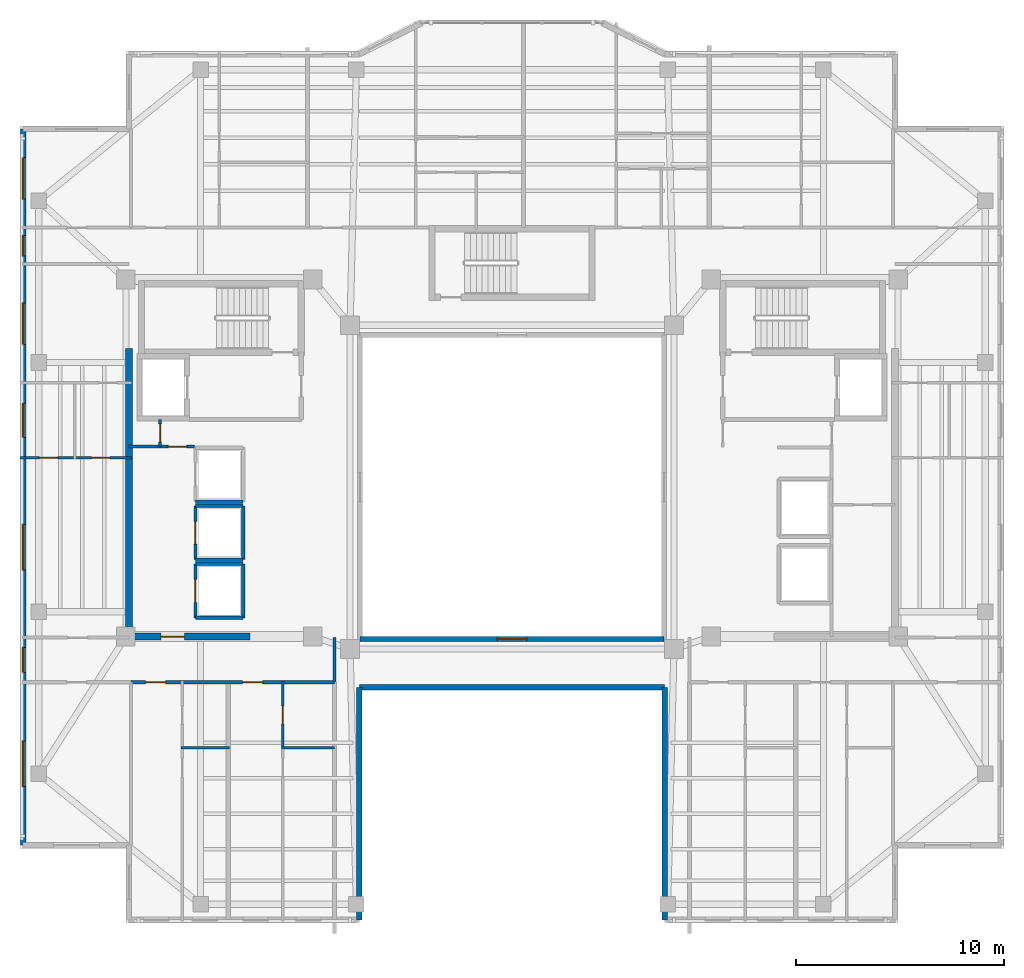
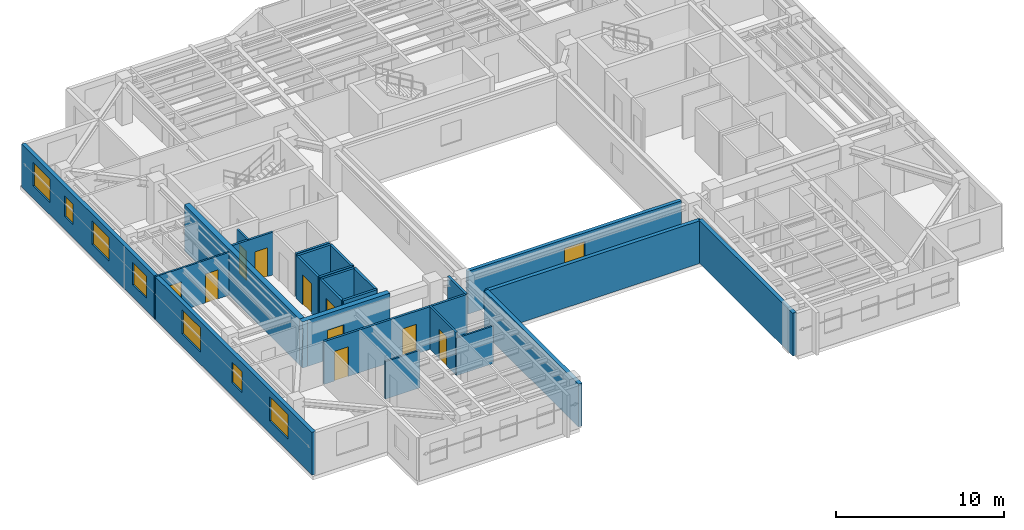
# One storey, part 4 of 12: 24 walls, 10 doors, 8 windows, 18 openings.
"""IFC4 building model written with IfcOpenShell, lengths in metres."""

import ifcopenshell
import ifcopenshell.guid

model = None  # the IFC model being written
_history = None  # IfcOwnerHistory: only IFC2X3 demands one
_inside = {}  # id of a spatial element -> (the spatial element, [elements in it])
_under = {}  # id of a project, library or spatial element -> (it, [spatial elements below it])
_declared = {}  # id of a project -> (the project, [libraries it declares])
_typed = {}  # id of a type object -> (the type object, [elements of that type])
_made_of = {}  # id of a material, layer set ... -> (it, [elements and type objects made of it])


def new_model(schema):
    """Start an empty IFC model of exactly this schema.

    Asked for "IFC4X3", IfcOpenShell would pick the latest addendum, in which some entities
    have other attributes; the version numbers below select the first issue.
    IFC2X3 requires an IfcOwnerHistory on every rooted entity: one is made here for all.
    """
    global model, _history
    if schema == "IFC4X3":
        model = ifcopenshell.file(schema_version=(4, 3, 0, 0))
    else:
        model = ifcopenshell.file(schema=schema)
    _inside.clear()
    _under.clear()
    _declared.clear()
    _typed.clear()
    _made_of.clear()
    _history = None
    if model.schema == "IFC2X3":
        org = make("IfcOrganization", Name="unknown")
        user = make(
            "IfcPersonAndOrganization",
            ThePerson=make("IfcPerson", FamilyName="unknown"),
            TheOrganization=org,
        )
        app = make(
            "IfcApplication",
            ApplicationDeveloper=org,
            Version="unknown",
            ApplicationFullName="unknown",
            ApplicationIdentifier="unknown",
        )
        _history = make(
            "IfcOwnerHistory",
            OwningUser=user,
            OwningApplication=app,
            ChangeAction="ADDED",
            CreationDate=0,
        )
    return model


def make(cls, **values):
    """One entity of the class cls with the attributes given. An attribute that is None is left unset."""
    return model.create_entity(
        cls, **{name: value for name, value in values.items() if value is not None}
    )


def rooted(cls, **values):
    """An entity with a GlobalId (a new one), such as an element, a storey or a relation."""
    return make(cls, GlobalId=ifcopenshell.guid.new(), OwnerHistory=_history, **values)


def si_unit(unit_type, name, prefix=None):
    """IfcSIUnit, for example si_unit("LENGTHUNIT", "METRE", prefix="MILLI")."""
    return make("IfcSIUnit", UnitType=unit_type, Prefix=prefix, Name=name)


def assignment(units):
    """IfcUnitAssignment: the units of a project."""
    return None if units is None else make("IfcUnitAssignment", Units=units)


def point(xyz):
    """IfcCartesianPoint."""
    return None if xyz is None else make("IfcCartesianPoint", Coordinates=xyz)


def direction(xyz):
    """IfcDirection."""
    return None if xyz is None else make("IfcDirection", DirectionRatios=xyz)


def frame(location, z_axis=None, x_axis=None):
    """IfcAxis2Placement3D, a coordinate frame: its origin and axes. An axis left out is left unset."""
    return make(
        "IfcAxis2Placement3D",
        Location=point(location),
        Axis=direction(z_axis),
        RefDirection=direction(x_axis),
    )


def frame_2d(location, x_axis=None):
    """IfcAxis2Placement2D, a coordinate frame in the plane: its origin and x axis."""
    return make(
        "IfcAxis2Placement2D", Location=point(location), RefDirection=direction(x_axis)
    )


def origin():
    """The frame at (0, 0, 0) with its axes left unset."""
    return frame((0.0, 0.0, 0.0))


def place(relative_to, where):
    """IfcLocalPlacement: puts the frame where relative to a parent placement (None: the world)."""
    return make(
        "IfcLocalPlacement", PlacementRelTo=relative_to, RelativePlacement=where
    )


def context(
    kind, dimensions, precision=None, world=None, true_north=None, identifier=None
):
    """IfcGeometricRepresentationContext, for example the 3D "Model" context."""
    return make(
        "IfcGeometricRepresentationContext",
        ContextIdentifier=identifier,
        ContextType=kind,
        CoordinateSpaceDimension=dimensions,
        Precision=precision,
        WorldCoordinateSystem=world,
        TrueNorth=true_north,
    )


def subcontext(parent, identifier, kind, view, scale=None):
    """IfcGeometricRepresentationSubContext, for example "Body" below "Model"."""
    return make(
        "IfcGeometricRepresentationSubContext",
        ContextIdentifier=identifier,
        ContextType=kind,
        ParentContext=parent,
        TargetScale=scale,
        TargetView=view,
    )


def project(units=None, contexts=None):
    """IfcProject with its units and contexts."""
    return rooted(
        "IfcProject",
        Name="project",
        RepresentationContexts=contexts,
        UnitsInContext=assignment(units),
    )


def spatial(cls, under=None, at=None, **own):
    """A site, building, storey or space (cls), placed at a placement, below another one or the project."""
    s = rooted(cls, ObjectPlacement=at, **own)
    if under is not None:
        _under.setdefault(under.id(), (under, []))[1].append(s)
    return s


def profile(cls, at=None, kind="AREA", **sizes):
    """A parametric profile (cls). Its sizes go by their IFC names, for example OverallWidth=200.0."""
    return make(cls, ProfileType=kind, Position=at, **sizes)


def rectangle(**sizes):
    """IfcRectangleProfileDef."""
    return profile("IfcRectangleProfileDef", **sizes)


def extrude(swept, where, along, depth):
    """IfcExtrudedAreaSolid: the profile swept, set in the frame where, extruded along a direction by depth."""
    return make(
        "IfcExtrudedAreaSolid",
        SweptArea=swept,
        Position=where,
        ExtrudedDirection=direction(along),
        Depth=depth,
    )


def shape(context_of_items, identifier, shape_type, items):
    """IfcShapeRepresentation: the items that make up one representation, for example the "Body"."""
    return make(
        "IfcShapeRepresentation",
        ContextOfItems=context_of_items,
        RepresentationIdentifier=identifier,
        RepresentationType=shape_type,
        Items=items,
    )


def material(Name=None, Category=None):
    """IfcMaterial."""
    return make("IfcMaterial", Name=Name, Category=Category)


def layer(
    of_material, thickness, ventilated=None, Name=None, Category=None, Priority=None
):
    """IfcMaterialLayer: one layer of a wall or slab, of a material (None: an air gap)."""
    return make(
        "IfcMaterialLayer",
        Material=of_material,
        LayerThickness=thickness,
        IsVentilated=ventilated,
        Name=Name,
        Category=Category,
        Priority=Priority,
    )


def layer_set(layers, Name=None):
    """IfcMaterialLayerSet."""
    return make("IfcMaterialLayerSet", MaterialLayers=layers, LayerSetName=Name)


def made_of(thing, what):
    """Note that an element or type object is made of a material, layer set ...; save() writes the relation."""
    if what is not None:
        _made_of.setdefault(what.id(), (what, []))[1].append(thing)
    return thing


def type_object(cls, material=None, **own):
    """A type object (cls), such as IfcWallType, which elements share."""
    return made_of(rooted(cls, **own), material)


def element(
    cls,
    number,
    at=None,
    inside=None,
    cuts=None,
    type_object=None,
    material=None,
    context=None,
    identifier="Body",
    shape_type=None,
    held_by="IfcProductDefinitionShape",
    body=None,
    shapes=None,
    **own,
):
    """One element of the class cls, such as IfcWall. Its Tag is "e" and its number.

    at: its placement. inside: the storey or other place that contains it. cuts: it is an
    opening in that element (IfcRelVoidsElement). A single representation is given by context,
    identifier, shape_type and body (its items); several are given by shapes. held_by: the class
    of the entity that holds the representations. save() writes the other relations.
    """
    e = rooted(cls, Tag="e%d" % number, ObjectPlacement=at, **own)
    if body is not None:
        shapes = [shape(context, identifier, shape_type, body)]
    if shapes is not None:
        e.Representation = make(held_by, Representations=shapes)
    if inside is not None:
        _inside.setdefault(inside.id(), (inside, []))[1].append(e)
    if cuts is not None:
        rooted(
            "IfcRelVoidsElement", RelatingBuildingElement=cuts, RelatedOpeningElement=e
        )
    if type_object is not None:
        _typed.setdefault(type_object.id(), (type_object, []))[1].append(e)
    return made_of(e, material)


def fill(opening, filler):
    """IfcRelFillsElement: the door or window that sits in an opening."""
    return rooted(
        "IfcRelFillsElement",
        RelatingOpeningElement=opening,
        RelatedBuildingElement=filler,
    )


def aggregate(whole, parts):
    """IfcRelAggregates: a whole, such as a stair, and the parts it consists of."""
    return rooted("IfcRelAggregates", RelatingObject=whole, RelatedObjects=parts)


def save(model, path):
    """Write the relations noted so far, then the file.

    IfcRelAggregates (storeys below a building ...), IfcRelContainedInSpatialStructure (elements
    in a storey), IfcRelDefinesByType, IfcRelAssociatesMaterial and IfcRelDeclares: one each for
    every whole, place, type object, material and project.
    """
    for whole, parts in _under.values():
        aggregate(whole, parts)
    for where, things in _inside.values():
        rooted(
            "IfcRelContainedInSpatialStructure",
            RelatedElements=things,
            RelatingStructure=where,
        )
    for kind, things in _typed.values():
        rooted("IfcRelDefinesByType", RelatedObjects=things, RelatingType=kind)
    for what, things in _made_of.values():
        rooted("IfcRelAssociatesMaterial", RelatedObjects=things, RelatingMaterial=what)
    for by, libraries in _declared.values():
        rooted("IfcRelDeclares", RelatingContext=by, RelatedDefinitions=libraries)
    model.write(path)


model = new_model("IFC4")

# Units and contexts
model_context = context("Model", 3, precision=1e-05, world=origin(), true_north=direction((0.0, 1.0)))
body_context = subcontext(model_context, "Body", "Model", "MODEL_VIEW")
ifc_project = project(units=[si_unit("LENGTHUNIT", "METRE"), si_unit("AREAUNIT", "SQUARE_METRE"), si_unit("VOLUMEUNIT", "CUBIC_METRE"), si_unit("PLANEANGLEUNIT", "RADIAN"), si_unit("MASSUNIT", "GRAM", prefix="KILO")], contexts=[model_context])

# Site, building, storey
site_placement = place(None, origin())
site = spatial("IfcSite", under=ifc_project, at=site_placement, CompositionType="ELEMENT")
building_placement = place(site_placement, origin())
building = spatial("IfcBuilding", under=site, at=building_placement, Name="Tarnavaz Court Tower", CompositionType="ELEMENT")
storey_placement = place(building_placement, frame((0.0, 0.0, 207.0)))
storey = spatial("IfcBuildingStorey", under=building, at=storey_placement, Name="L56", CompositionType="ELEMENT", Elevation=207.0)

# Wall
ifc_material_1 = material(Name="Concrete C50/60", Category="concrete")
ifc_layer_1 = layer(ifc_material_1, 0.35009765625)
ifc_layer_set_1 = layer_set([ifc_layer_1], Name="Concrete C50/60")
wall_type_1 = type_object("IfcWallType", Name="WL-CORE-350-C50", PredefinedType="SHEAR", material=ifc_layer_set_1)
wall_1_placement = place(storey_placement, frame((-18.449951171875, -7.375, 0.0), z_axis=(0.0, 0.0, 1.0), x_axis=(0.0, 1.0, 0.0)))
element("IfcWall", 1, at=wall_1_placement, inside=storey, type_object=wall_type_1, Name="L56 West Core Shear Wall 045", PredefinedType="SHEAR", context=body_context, shape_type="SweptSolid", body=[
    extrude(rectangle(XDim=14.050048828125, YDim=0.35009765625, at=frame_2d((7.02490234375, 0.0))), origin(), (0.0, 0.0, 1.0), 3.35009765625),
])

# Wall, opening, door
wall_2_placement = place(storey_placement, frame((-18.625, -7.199951171875, 0.0), z_axis=(0.0, 0.0, 1.0), x_axis=(1.0, 0.0, 0.0)))
wall_2 = element("IfcWall", 2, at=wall_2_placement, inside=storey, type_object=wall_type_1, Name="L56 West Core South Shear Wall 046", PredefinedType="SHEAR", context=body_context, shape_type="SweptSolid", body=[
    extrude(rectangle(XDim=6.0, YDim=0.35009765625, at=frame_2d((3.0, 0.0))), origin(), (0.0, 0.0, 1.0), 3.35009765625),
])
opening_1_placement = place(wall_2_placement, frame((1.72509765625, 0.0, 0.0)))
opening_1 = element("IfcOpeningElement", 3, at=opening_1_placement, cuts=wall_2, Name="Opening D04", PredefinedType="OPENING", context=body_context, shape_type="SweptSolid", body=[
    extrude(rectangle(XDim=1.1201171875, YDim=2.14990234375, at=frame_2d((0.56005859375, 1.074951171875))), frame((0.0, 0.18505859375, 0.0), z_axis=(0.0, -1.0, 0.0), x_axis=(1.0, 0.0, 0.0)), (0.0, 0.0, 1.0), 0.3701171875),
])
ifc_material_2 = material(Name="Fire-Rated Hardwood Timber Core", Category="wood")
door_type_1 = type_object("IfcDoorType", Name="DR-FD60-1100", OperationType="NOTDEFINED", PredefinedType="DOOR", material=ifc_material_2)
door_1_placement = place(opening_1_placement, origin())
door_1 = element("IfcDoor", 4, at=door_1_placement, inside=storey, type_object=door_type_1, Name="L56 West High-Rise Lift Lobby Door", OperationType="SINGLE_SWING_LEFT", OverallHeight=2.14990234375, OverallWidth=1.1201171875, PredefinedType="DOOR", context=body_context, shape_type="SweptSolid", body=[
    extrude(rectangle(XDim=1.1201171875, YDim=2.14990234375, at=frame_2d((0.56005859375, 1.074951171875))), frame((0.0, 0.02490234375, 0.0), z_axis=(0.0, -1.0, 0.0), x_axis=(1.0, 0.0, 0.0)), (0.0, 0.0, 1.0), 0.050048828125),
])
fill(opening_1, door_1)

# Wall, openings, windows
ifc_material_3 = material(Name="Precast Concrete C40/50", Category="concrete")
ifc_layer_2 = layer(ifc_material_3, 0.260009765625)
ifc_layer_set_2 = layer_set([ifc_layer_2], Name="Precast Concrete C40/50")
wall_type_2 = type_object("IfcWallType", Name="WL-EXT-260", PredefinedType="SOLIDWALL", material=ifc_layer_set_2)
wall_3_placement = place(storey_placement, frame((-23.550048828125, -17.25, 0.0), z_axis=(0.0, 0.0, 1.0), x_axis=(0.0, 1.0, 0.0)))
wall_3 = element("IfcWall", 5, at=wall_3_placement, inside=storey, type_object=wall_type_2, Name="L56 Exterior Terracotta Facade Wall 02", PredefinedType="SOLIDWALL", context=body_context, shape_type="SweptSolid", body=[
    extrude(rectangle(XDim=34.5, YDim=0.260009765625, at=frame_2d((17.25, 0.0))), origin(), (0.0, 0.0, 1.0), 3.10009765625),
])
opening_2_placement = place(wall_3_placement, frame((2.824951171875, 0.0, 0.89990234375)))
opening_2 = element("IfcOpeningElement", 6, at=opening_2_placement, cuts=wall_3, Name="Opening W07", PredefinedType="OPENING", context=body_context, shape_type="SweptSolid", body=[
    extrude(rectangle(XDim=2.199951171875, YDim=1.75, at=frame_2d((1.10009765625, 0.875))), frame((0.0, 0.139892578125, 0.0), z_axis=(0.0, -1.0, 0.0), x_axis=(1.0, 0.0, 0.0)), (0.0, 0.0, 1.0), 0.280029296875),
])
opening_3_placement = place(wall_3_placement, frame((8.324951171875, 0.0, 0.949951171875)))
opening_3 = element("IfcOpeningElement", 7, at=opening_3_placement, cuts=wall_3, Name="Opening W05", PredefinedType="OPENING", context=body_context, shape_type="SweptSolid", body=[
    extrude(rectangle(XDim=1.199951171875, YDim=1.5, at=frame_2d((0.60009765625, 0.75))), frame((0.0, 0.139892578125, 0.0), z_axis=(0.0, -1.0, 0.0), x_axis=(1.0, 0.0, 0.0)), (0.0, 0.0, 1.0), 0.280029296875),
])
opening_4_placement = place(wall_3_placement, frame((13.25, 0.0, 0.89990234375)))
opening_4 = element("IfcOpeningElement", 8, at=opening_4_placement, cuts=wall_3, Name="Opening W07", PredefinedType="OPENING", context=body_context, shape_type="SweptSolid", body=[
    extrude(rectangle(XDim=2.199951171875, YDim=1.75, at=frame_2d((1.10009765625, 0.875))), frame((0.0, 0.139892578125, 0.0), z_axis=(0.0, -1.0, 0.0), x_axis=(1.0, 0.0, 0.0)), (0.0, 0.0, 1.0), 0.280029296875),
])
opening_5_placement = place(wall_3_placement, frame((19.64990234375, 0.0, 0.89990234375)))
opening_5 = element("IfcOpeningElement", 9, at=opening_5_placement, cuts=wall_3, Name="Opening W02", PredefinedType="OPENING", context=body_context, shape_type="SweptSolid", body=[
    extrude(rectangle(XDim=1.64990234375, YDim=1.60009765625, at=frame_2d((0.824951171875, 0.800048828125))), frame((0.0, 0.139892578125, 0.0), z_axis=(0.0, -1.0, 0.0), x_axis=(1.0, 0.0, 0.0)), (0.0, 0.0, 1.0), 0.280029296875),
])
opening_6_placement = place(wall_3_placement, frame((24.125, 0.0, 0.89990234375)))
opening_6 = element("IfcOpeningElement", 10, at=opening_6_placement, cuts=wall_3, Name="Opening W08", PredefinedType="OPENING", context=body_context, shape_type="SweptSolid", body=[
    extrude(rectangle(XDim=2.0, YDim=1.699951171875, at=frame_2d((1.0, 0.85009765625))), frame((0.0, 0.139892578125, 0.0), z_axis=(0.0, -1.0, 0.0), x_axis=(1.0, 0.0, 0.0)), (0.0, 0.0, 1.0), 0.280029296875),
])
opening_7_placement = place(wall_3_placement, frame((28.375, 0.0, 0.949951171875)))
opening_7 = element("IfcOpeningElement", 11, at=opening_7_placement, cuts=wall_3, Name="Opening W14", PredefinedType="OPENING", context=body_context, shape_type="SweptSolid", body=[
    extrude(rectangle(XDim=1.0, YDim=1.5, at=frame_2d((0.5, 0.75))), frame((0.0, 0.139892578125, 0.0), z_axis=(0.0, -1.0, 0.0), x_axis=(1.0, 0.0, 0.0)), (0.0, 0.0, 1.0), 0.280029296875),
])
opening_8_placement = place(wall_3_placement, frame((31.125, 0.0, 0.89990234375)))
opening_8 = element("IfcOpeningElement", 12, at=opening_8_placement, cuts=wall_3, Name="Opening W08", PredefinedType="OPENING", context=body_context, shape_type="SweptSolid", body=[
    extrude(rectangle(XDim=2.0, YDim=1.699951171875, at=frame_2d((1.0, 0.85009765625))), frame((0.0, 0.139892578125, 0.0), z_axis=(0.0, -1.0, 0.0), x_axis=(1.0, 0.0, 0.0)), (0.0, 0.0, 1.0), 0.280029296875),
])
ifc_material_4 = material(Name="Double-Glazed Solar Low-E Glass", Category="glass")
window_type_1 = type_object("IfcWindowType", Name="WN-APT-1000", PartitioningType="SINGLE_PANEL", PredefinedType="WINDOW", material=ifc_material_4)
window_1_placement = place(opening_7_placement, origin())
window_1 = element("IfcWindow", 13, at=window_1_placement, inside=storey, type_object=window_type_1, Name="L56 North-West Corner Corridor Window", OverallHeight=1.5, OverallWidth=1.0, PartitioningType="SINGLE_PANEL", PredefinedType="WINDOW", context=body_context, shape_type="SweptSolid", body=[
    extrude(rectangle(XDim=1.0, YDim=1.5, at=frame_2d((0.5, 0.75))), frame((0.0, 0.030029296875, 0.0), z_axis=(0.0, -1.0, 0.0), x_axis=(1.0, 0.0, 0.0)), (0.0, 0.0, 1.0), 0.06005859375),
])
fill(opening_7, window_1)
window_type_2 = type_object("IfcWindowType", Name="WN-APT-1200", PartitioningType="SINGLE_PANEL", PredefinedType="WINDOW", material=ifc_material_4)
window_2_placement = place(opening_3_placement, origin())
window_2 = element("IfcWindow", 14, at=window_2_placement, inside=storey, type_object=window_type_2, Name="L56 South-West Corner Corridor Window", OverallHeight=1.5, OverallWidth=1.199951171875, PartitioningType="SINGLE_PANEL", PredefinedType="WINDOW", context=body_context, shape_type="SweptSolid", body=[
    extrude(rectangle(XDim=1.199951171875, YDim=1.5, at=frame_2d((0.60009765625, 0.75))), frame((0.0, 0.030029296875, 0.0), z_axis=(0.0, -1.0, 0.0), x_axis=(1.0, 0.0, 0.0)), (0.0, 0.0, 1.0), 0.06005859375),
])
fill(opening_3, window_2)
window_type_3 = type_object("IfcWindowType", Name="WN-APT-1650", PartitioningType="DOUBLE_PANEL_VERTICAL", PredefinedType="WINDOW", material=ifc_material_4)
window_3_placement = place(opening_5_placement, origin())
window_3 = element("IfcWindow", 15, at=window_3_placement, inside=storey, type_object=window_type_3, Name="L56 Flat 09 Kitchen Window", OverallHeight=1.60009765625, OverallWidth=1.64990234375, PartitioningType="SINGLE_PANEL", PredefinedType="WINDOW", context=body_context, shape_type="SweptSolid", body=[
    extrude(rectangle(XDim=1.64990234375, YDim=1.60009765625, at=frame_2d((0.824951171875, 0.800048828125))), frame((0.0, 0.030029296875, 0.0), z_axis=(0.0, -1.0, 0.0), x_axis=(1.0, 0.0, 0.0)), (0.0, 0.0, 1.0), 0.06005859375),
])
fill(opening_5, window_3)
window_type_4 = type_object("IfcWindowType", Name="WN-APT-2000", PartitioningType="DOUBLE_PANEL_VERTICAL", PredefinedType="WINDOW", material=ifc_material_4)
window_4_placement = place(opening_6_placement, origin())
window_4 = element("IfcWindow", 16, at=window_4_placement, inside=storey, type_object=window_type_4, Name="L56 Flat 09 Study Room Window", OverallHeight=1.699951171875, OverallWidth=2.0, PartitioningType="SINGLE_PANEL", PredefinedType="WINDOW", context=body_context, shape_type="SweptSolid", body=[
    extrude(rectangle(XDim=2.0, YDim=1.699951171875, at=frame_2d((1.0, 0.85009765625))), frame((0.0, 0.030029296875, 0.0), z_axis=(0.0, -1.0, 0.0), x_axis=(1.0, 0.0, 0.0)), (0.0, 0.0, 1.0), 0.06005859375),
])
fill(opening_6, window_4)
window_5_placement = place(opening_8_placement, origin())
window_5 = element("IfcWindow", 17, at=window_5_placement, inside=storey, type_object=window_type_4, Name="L56 North-West Corner Sunroom Study Window", OverallHeight=1.699951171875, OverallWidth=2.0, PartitioningType="SINGLE_PANEL", PredefinedType="WINDOW", context=body_context, shape_type="SweptSolid", body=[
    extrude(rectangle(XDim=2.0, YDim=1.699951171875, at=frame_2d((1.0, 0.85009765625))), frame((0.0, 0.030029296875, 0.0), z_axis=(0.0, -1.0, 0.0), x_axis=(1.0, 0.0, 0.0)), (0.0, 0.0, 1.0), 0.06005859375),
])
fill(opening_8, window_5)
window_type_5 = type_object("IfcWindowType", Name="WN-APT-2200", PartitioningType="TRIPLE_PANEL_VERTICAL", PredefinedType="WINDOW", material=ifc_material_4)
window_6_placement = place(opening_2_placement, origin())
window_6 = element("IfcWindow", 18, at=window_6_placement, inside=storey, type_object=window_type_5, Name="L56 South-West Corner Reading Room Window", OverallHeight=1.75, OverallWidth=2.199951171875, PartitioningType="SINGLE_PANEL", PredefinedType="WINDOW", context=body_context, shape_type="SweptSolid", body=[
    extrude(rectangle(XDim=2.199951171875, YDim=1.75, at=frame_2d((1.10009765625, 0.875))), frame((0.0, 0.030029296875, 0.0), z_axis=(0.0, -1.0, 0.0), x_axis=(1.0, 0.0, 0.0)), (0.0, 0.0, 1.0), 0.06005859375),
])
fill(opening_2, window_6)
window_7_placement = place(opening_4_placement, origin())
window_7 = element("IfcWindow", 19, at=window_7_placement, inside=storey, type_object=window_type_5, Name="L56 Flat 09 Studio Living and Sleeping Room Window", OverallHeight=1.75, OverallWidth=2.199951171875, PartitioningType="SINGLE_PANEL", PredefinedType="WINDOW", context=body_context, shape_type="SweptSolid", body=[
    extrude(rectangle(XDim=2.199951171875, YDim=1.75, at=frame_2d((1.10009765625, 0.875))), frame((0.0, 0.030029296875, 0.0), z_axis=(0.0, -1.0, 0.0), x_axis=(1.0, 0.0, 0.0)), (0.0, 0.0, 1.0), 0.06005859375),
])
fill(opening_4, window_7)

# Walls
wall_4_placement = place(storey_placement, frame((7.35009765625, -20.85009765625, 0.0), z_axis=(0.0, 0.0, 1.0), x_axis=(0.0, 1.0, 0.0)))
element("IfcWall", 20, at=wall_4_placement, inside=storey, type_object=wall_type_2, Name="L56 Exterior Terracotta Facade Wall 16", PredefinedType="SOLIDWALL", context=body_context, shape_type="SweptSolid", body=[
    extrude(rectangle(XDim=11.2001953125, YDim=0.260009765625, at=frame_2d((5.60009765625, 0.0))), origin(), (0.0, 0.0, 1.0), 3.10009765625),
])
wall_5_placement = place(storey_placement, frame((7.35009765625, -9.64990234375, 0.0), z_axis=(0.0, 0.0, 1.0), x_axis=(-1.0, 0.0, 0.0)))
element("IfcWall", 21, at=wall_5_placement, inside=storey, type_object=wall_type_2, Name="L56 Exterior Terracotta Facade Wall 17", PredefinedType="SOLIDWALL", context=body_context, shape_type="SweptSolid", body=[
    extrude(rectangle(XDim=14.7001953125, YDim=0.260009765625, at=frame_2d((7.35009765625, 0.0))), origin(), (0.0, 0.0, 1.0), 3.10009765625),
])
wall_6_placement = place(storey_placement, frame((-7.35009765625, -9.64990234375, 0.0), z_axis=(0.0, 0.0, 1.0), x_axis=(0.0, -1.0, 0.0)))
element("IfcWall", 22, at=wall_6_placement, inside=storey, type_object=wall_type_2, Name="L56 Exterior Terracotta Facade Wall 18", PredefinedType="SOLIDWALL", context=body_context, shape_type="SweptSolid", body=[
    extrude(rectangle(XDim=11.2001953125, YDim=0.260009765625, at=frame_2d((5.60009765625, 0.0))), origin(), (0.0, 0.0, 1.0), 3.10009765625),
])

# Wall, openings, doors
ifc_material_5 = material(Name="Gypsum Fire-Board on Acoustic Metal Stud", Category="masonry")
ifc_layer_3 = layer(ifc_material_5, 0.14990234375)
ifc_layer_set_3 = layer_set([ifc_layer_3], Name="Gypsum Fire-Board on Acoustic Metal Stud")
wall_type_3 = type_object("IfcWallType", Name="WL-FIRE-150", PredefinedType="PARTITIONING", material=ifc_layer_set_3)
wall_7_placement = place(storey_placement, frame((-18.35009765625, -9.39990234375, 0.0), z_axis=(0.0, 0.0, 1.0), x_axis=(1.0, 0.0, 0.0)))
wall_7 = element("IfcWall", 23, at=wall_7_placement, inside=storey, type_object=wall_type_3, Name="L56 SW Lobby Wall 057", PredefinedType="PARTITIONING", context=body_context, shape_type="SweptSolid", body=[
    extrude(rectangle(XDim=9.800048828125, YDim=0.14990234375, at=frame_2d((4.89990234375, 0.0))), origin(), (0.0, 0.0, 1.0), 3.10009765625),
])
opening_9_placement = place(wall_7_placement, frame((0.699951171875, 0.0, 0.0)))
opening_9 = element("IfcOpeningElement", 24, at=opening_9_placement, cuts=wall_7, Name="Opening D06", PredefinedType="OPENING", context=body_context, shape_type="SweptSolid", body=[
    extrude(rectangle(XDim=0.9599609375, YDim=2.14990234375, at=frame_2d((0.47998046875, 1.074951171875))), frame((0.0, 0.0849609375, 0.0), z_axis=(0.0, -1.0, 0.0), x_axis=(1.0, 0.0, 0.0)), (0.0, 0.0, 1.0), 0.169921875),
])
opening_10_placement = place(wall_7_placement, frame((5.3798828125, 0.0, 0.0)))
opening_10 = element("IfcOpeningElement", 25, at=opening_10_placement, cuts=wall_7, Name="Opening D06", PredefinedType="OPENING", context=body_context, shape_type="SweptSolid", body=[
    extrude(rectangle(XDim=0.9599609375, YDim=2.14990234375, at=frame_2d((0.47998046875, 1.074951171875))), frame((0.0, 0.0849609375, 0.0), z_axis=(0.0, -1.0, 0.0), x_axis=(1.0, 0.0, 0.0)), (0.0, 0.0, 1.0), 0.169921875),
])
door_type_2 = type_object("IfcDoorType", Name="DR-FD60-950", OperationType="NOTDEFINED", PredefinedType="DOOR", material=ifc_material_2)
door_2_placement = place(opening_9_placement, origin())
door_2 = element("IfcDoor", 26, at=door_2_placement, inside=storey, type_object=door_type_2, Name="L56 Flat 05 Entrance Door", OperationType="SINGLE_SWING_LEFT", OverallHeight=2.14990234375, OverallWidth=0.9599609375, PredefinedType="DOOR", context=body_context, shape_type="SweptSolid", body=[
    extrude(rectangle(XDim=0.9599609375, YDim=2.14990234375, at=frame_2d((0.47998046875, 1.074951171875))), frame((0.0, 0.02490234375, 0.0), z_axis=(0.0, -1.0, 0.0), x_axis=(1.0, 0.0, 0.0)), (0.0, 0.0, 1.0), 0.050048828125),
])
fill(opening_9, door_2)
door_3_placement = place(opening_10_placement, origin())
door_3 = element("IfcDoor", 27, at=door_3_placement, inside=storey, type_object=door_type_2, Name="L56 Flat 06 Entrance Door", OperationType="SINGLE_SWING_RIGHT", OverallHeight=2.14990234375, OverallWidth=0.9599609375, PredefinedType="DOOR", context=body_context, shape_type="SweptSolid", body=[
    extrude(rectangle(XDim=0.9599609375, YDim=2.14990234375, at=frame_2d((0.47998046875, 1.074951171875))), frame((0.0, 0.02490234375, 0.0), z_axis=(0.0, -1.0, 0.0), x_axis=(1.0, 0.0, 0.0)), (0.0, 0.0, 1.0), 0.050048828125),
])
fill(opening_10, door_3)

# Walls
wall_8_placement = place(storey_placement, frame((-8.550048828125, -9.39990234375, 0.0), z_axis=(0.0, 0.0, 1.0), x_axis=(0.0, 1.0, 0.0)))
element("IfcWall", 28, at=wall_8_placement, inside=storey, type_object=wall_type_3, Name="L56 West Spine End Wall 059", PredefinedType="PARTITIONING", context=body_context, shape_type="SweptSolid", body=[
    extrude(rectangle(XDim=2.14990234375, YDim=0.14990234375, at=frame_2d((1.074951171875, 0.0))), origin(), (0.0, 0.0, 1.0), 3.10009765625),
])
ifc_material_6 = material(Name="Moisture-Resistant Gypsum Board Partition", Category="masonry")
ifc_layer_4 = layer(ifc_material_6, 0.1201171875)
ifc_layer_set_4 = layer_set([ifc_layer_4], Name="Moisture-Resistant Gypsum Board Partition")
wall_type_4 = type_object("IfcWallType", Name="WL-PART-120", PredefinedType="PARTITIONING", material=ifc_layer_set_4)
wall_9_placement = place(storey_placement, frame((-15.949951171875, -12.56005859375, 0.0), z_axis=(0.0, 0.0, 1.0), x_axis=(1.0, 0.0, 0.0)))
element("IfcWall", 29, at=wall_9_placement, inside=storey, type_object=wall_type_4, Name="L56 Interior Partition 083", PredefinedType="PARTITIONING", context=body_context, shape_type="SweptSolid", body=[
    extrude(rectangle(XDim=2.33984375, YDim=0.1201171875, at=frame_2d((1.169921875, 0.0))), origin(), (0.0, 0.0, 1.0), 2.72509765625),
])

# Wall, opening, door
wall_10_placement = place(storey_placement, frame((-11.035888671875, -12.56005859375, 0.0), z_axis=(0.0, 0.0, 1.0), x_axis=(0.0, 1.0, 0.0)))
wall_10 = element("IfcWall", 30, at=wall_10_placement, inside=storey, type_object=wall_type_4, Name="L56 Interior Partition 085", PredefinedType="PARTITIONING", context=body_context, shape_type="SweptSolid", body=[
    extrude(rectangle(XDim=3.219970703125, YDim=0.1201171875, at=frame_2d((1.60986328125, 0.0))), origin(), (0.0, 0.0, 1.0), 3.10009765625),
])
opening_11_placement = place(wall_10_placement, frame((1.139892578125, 0.0, 0.0)))
opening_11 = element("IfcOpeningElement", 31, at=opening_11_placement, cuts=wall_10, Name="Opening D14", PredefinedType="OPENING", context=body_context, shape_type="SweptSolid", body=[
    extrude(rectangle(XDim=0.8798828125, YDim=2.10009765625, at=frame_2d((0.43994140625, 1.050048828125))), frame((0.0, 0.070068359375, 0.0), z_axis=(0.0, -1.0, 0.0), x_axis=(1.0, 0.0, 0.0)), (0.0, 0.0, 1.0), 0.14013671875),
])
ifc_material_7 = material(Name="Engineered Oak Timber", Category="wood")
door_type_3 = type_object("IfcDoorType", Name="DR-INT-900", OperationType="NOTDEFINED", PredefinedType="DOOR", material=ifc_material_7)
door_4_placement = place(opening_11_placement, origin())
door_4 = element("IfcDoor", 32, at=door_4_placement, inside=storey, type_object=door_type_3, Name="L56 Flat 06 Bathroom Door", OperationType="SINGLE_SWING_RIGHT", OverallHeight=2.10009765625, OverallWidth=0.8798828125, PredefinedType="DOOR", context=body_context, shape_type="SweptSolid", body=[
    extrude(rectangle(XDim=0.8798828125, YDim=2.10009765625, at=frame_2d((0.43994140625, 1.050048828125))), frame((0.0, 0.02490234375, 0.0), z_axis=(0.0, -1.0, 0.0), x_axis=(1.0, 0.0, 0.0)), (0.0, 0.0, 1.0), 0.050048828125),
])
fill(opening_11, door_4)

# Wall
wall_11_placement = place(storey_placement, frame((-11.095947265625, -12.56005859375, 0.0), z_axis=(0.0, 0.0, 1.0), x_axis=(1.0, 0.0, 0.0)))
element("IfcWall", 33, at=wall_11_placement, inside=storey, type_object=wall_type_4, Name="L56 Interior Partition 086", PredefinedType="PARTITIONING", context=body_context, shape_type="SweptSolid", body=[
    extrude(rectangle(XDim=2.555908203125, YDim=0.1201171875, at=frame_2d((1.27783203125, 0.0))), origin(), (0.0, 0.0, 1.0), 2.72509765625),
])

# Wall, openings, doors
wall_12_placement = place(storey_placement, frame((-23.699951171875, 1.419921875, 0.0), z_axis=(0.0, 0.0, 1.0), x_axis=(1.0, 0.0, 0.0)))
wall_12 = element("IfcWall", 34, at=wall_12_placement, inside=storey, type_object=wall_type_4, Name="L56 Interior Partition 108", PredefinedType="PARTITIONING", context=body_context, shape_type="SweptSolid", body=[
    extrude(rectangle(XDim=5.369873046875, YDim=0.1201171875, at=frame_2d((2.68505859375, 0.0))), origin(), (0.0, 0.0, 1.0), 3.10009765625),
])
opening_12_placement = place(wall_12_placement, frame((0.93701171875, 0.0, 0.0)))
opening_12 = element("IfcOpeningElement", 35, at=opening_12_placement, cuts=wall_12, Name="Opening D14", PredefinedType="OPENING", context=body_context, shape_type="SweptSolid", body=[
    extrude(rectangle(XDim=0.8798828125, YDim=2.10009765625, at=frame_2d((0.43994140625, 1.050048828125))), frame((0.0, 0.070068359375, 0.0), z_axis=(0.0, -1.0, 0.0), x_axis=(1.0, 0.0, 0.0)), (0.0, 0.0, 1.0), 0.14013671875),
])
opening_13_placement = place(wall_12_placement, frame((3.451904296875, 0.0, 0.0)))
opening_13 = element("IfcOpeningElement", 36, at=opening_13_placement, cuts=wall_12, Name="Opening D14", PredefinedType="OPENING", context=body_context, shape_type="SweptSolid", body=[
    extrude(rectangle(XDim=0.8798828125, YDim=2.10009765625, at=frame_2d((0.43994140625, 1.050048828125))), frame((0.0, 0.070068359375, 0.0), z_axis=(0.0, -1.0, 0.0), x_axis=(1.0, 0.0, 0.0)), (0.0, 0.0, 1.0), 0.14013671875),
])
door_5_placement = place(opening_12_placement, origin())
door_5 = element("IfcDoor", 37, at=door_5_placement, inside=storey, type_object=door_type_3, Name="L56 Flat 09 Kitchen Door", OperationType="SINGLE_SWING_RIGHT", OverallHeight=2.10009765625, OverallWidth=0.8798828125, PredefinedType="DOOR", context=body_context, shape_type="SweptSolid", body=[
    extrude(rectangle(XDim=0.8798828125, YDim=2.10009765625, at=frame_2d((0.43994140625, 1.050048828125))), frame((0.0, 0.02490234375, 0.0), z_axis=(0.0, -1.0, 0.0), x_axis=(1.0, 0.0, 0.0)), (0.0, 0.0, 1.0), 0.050048828125),
])
fill(opening_12, door_5)
door_6_placement = place(opening_13_placement, origin())
door_6 = element("IfcDoor", 38, at=door_6_placement, inside=storey, type_object=door_type_3, Name="L56 Flat 09 Bathroom Door", OperationType="SINGLE_SWING_LEFT", OverallHeight=2.10009765625, OverallWidth=0.8798828125, PredefinedType="DOOR", context=body_context, shape_type="SweptSolid", body=[
    extrude(rectangle(XDim=0.8798828125, YDim=2.10009765625, at=frame_2d((0.43994140625, 1.050048828125))), frame((0.0, 0.02490234375, 0.0), z_axis=(0.0, -1.0, 0.0), x_axis=(1.0, 0.0, 0.0)), (0.0, 0.0, 1.0), 0.050048828125),
])
fill(opening_13, door_6)

# Wall, opening, door
ifc_material_8 = material(Name="Gypsum Plasterboard Acoustic Partition", Category="masonry")
ifc_layer_5 = layer(ifc_material_8, 0.139892578125)
ifc_layer_set_5 = layer_set([ifc_layer_5], Name="Gypsum Plasterboard Acoustic Partition")
wall_type_5 = type_object("IfcWallType", Name="WL-PART-150", PredefinedType="PARTITIONING", material=ifc_layer_set_5)
wall_13_placement = place(storey_placement, frame((-18.449951171875, 1.949951171875, 0.0), z_axis=(0.0, 0.0, 1.0), x_axis=(1.0, 0.0, 0.0)))
wall_13 = element("IfcWall", 39, at=wall_13_placement, inside=storey, type_object=wall_type_5, Name="L56 Interior Partition 049", PredefinedType="PARTITIONING", context=body_context, shape_type="SweptSolid", body=[
    extrude(rectangle(XDim=3.14990234375, YDim=0.139892578125, at=frame_2d((1.574951171875, 0.0))), origin(), (0.0, 0.0, 1.0), 3.10009765625),
])
opening_14_placement = place(wall_13_placement, frame((1.89990234375, 0.0, 0.0)))
opening_14 = element("IfcOpeningElement", 40, at=opening_14_placement, cuts=wall_13, Name="Opening D14", PredefinedType="OPENING", context=body_context, shape_type="SweptSolid", body=[
    extrude(rectangle(XDim=0.8798828125, YDim=2.10009765625, at=frame_2d((0.43994140625, 1.050048828125))), frame((0.0, 0.079833984375, 0.0), z_axis=(0.0, -1.0, 0.0), x_axis=(1.0, 0.0, 0.0)), (0.0, 0.0, 1.0), 0.159912109375),
])
door_7_placement = place(opening_14_placement, origin())
door_7 = element("IfcDoor", 41, at=door_7_placement, inside=storey, type_object=door_type_3, Name="L56 West Sky Switchgear Door", OperationType="SINGLE_SWING_RIGHT", OverallHeight=2.10009765625, OverallWidth=0.8798828125, PredefinedType="DOOR", context=body_context, shape_type="SweptSolid", body=[
    extrude(rectangle(XDim=0.8798828125, YDim=2.10009765625, at=frame_2d((0.43994140625, 1.050048828125))), frame((0.0, 0.02490234375, 0.0), z_axis=(0.0, -1.0, 0.0), x_axis=(1.0, 0.0, 0.0)), (0.0, 0.0, 1.0), 0.050048828125),
])
fill(opening_14, door_7)

wall_14_placement = place(storey_placement, frame((-16.949951171875, 1.949951171875, 0.0), z_axis=(0.0, 0.0, 1.0), x_axis=(0.0, 1.0, 0.0)))
wall_14 = element("IfcWall", 42, at=wall_14_placement, inside=storey, type_object=wall_type_5, Name="L56 Interior Partition 050", PredefinedType="PARTITIONING", context=body_context, shape_type="SweptSolid", body=[
    extrude(rectangle(XDim=1.300048828125, YDim=0.139892578125, at=frame_2d((0.64990234375, 0.0))), origin(), (0.0, 0.0, 1.0), 3.10009765625),
])
opening_15_placement = place(wall_14_placement, frame((0.219970703125, 0.0, 0.0)))
opening_15 = element("IfcOpeningElement", 43, at=opening_15_placement, cuts=wall_14, Name="Opening D14", PredefinedType="OPENING", context=body_context, shape_type="SweptSolid", body=[
    extrude(rectangle(XDim=0.8798828125, YDim=2.10009765625, at=frame_2d((0.43994140625, 1.050048828125))), frame((0.0, 0.079833984375, 0.0), z_axis=(0.0, -1.0, 0.0), x_axis=(1.0, 0.0, 0.0)), (0.0, 0.0, 1.0), 0.159912109375),
])
door_8_placement = place(opening_15_placement, origin())
door_8 = element("IfcDoor", 44, at=door_8_placement, inside=storey, type_object=door_type_3, Name="L56 West Sky Telecom Door", OperationType="SINGLE_SWING_LEFT", OverallHeight=2.10009765625, OverallWidth=0.8798828125, PredefinedType="DOOR", context=body_context, shape_type="SweptSolid", body=[
    extrude(rectangle(XDim=0.8798828125, YDim=2.10009765625, at=frame_2d((0.43994140625, 1.050048828125))), frame((0.0, 0.02490234375, 0.0), z_axis=(0.0, -1.0, 0.0), x_axis=(1.0, 0.0, 0.0)), (0.0, 0.0, 1.0), 0.050048828125),
])
fill(opening_15, door_8)

ifc_material_9 = material(Name="Autoclaved Aerated Concrete Blockwork", Category="masonry")
ifc_layer_6 = layer(ifc_material_9, 0.159912109375)
ifc_layer_set_6 = layer_set([ifc_layer_6], Name="Autoclaved Aerated Concrete Blockwork")
wall_type_6 = type_object("IfcWallType", Name="WL-SHAFT-150", PredefinedType="SOLIDWALL", material=ifc_layer_set_6)
wall_15_placement = place(storey_placement, frame((-15.25, -6.300048828125, 0.0), z_axis=(0.0, 0.0, 1.0), x_axis=(0.0, 1.0, 0.0)))
wall_15 = element("IfcWall", 45, at=wall_15_placement, inside=storey, type_object=wall_type_6, Name="L56 Lift PL-H1 Shaft Wall 021", PredefinedType="SOLIDWALL", context=body_context, shape_type="SweptSolid", body=[
    extrude(rectangle(XDim=2.60009765625, YDim=0.159912109375, at=frame_2d((1.300048828125, 0.0))), origin(), (0.0, 0.0, 1.0), 3.10009765625),
])
opening_16_placement = place(wall_15_placement, frame((0.75, 0.0, 0.0)))
opening_16 = element("IfcOpeningElement", 46, at=opening_16_placement, cuts=wall_15, Name="Opening LD1", PredefinedType="OPENING", context=body_context, shape_type="SweptSolid", body=[
    extrude(rectangle(XDim=1.10009765625, YDim=2.14990234375, at=frame_2d((0.550048828125, 1.074951171875))), frame((0.0, 0.08984375, 0.0), z_axis=(0.0, -1.0, 0.0), x_axis=(1.0, 0.0, 0.0)), (0.0, 0.0, 1.0), 0.179931640625),
])
ifc_material_10 = material(Name="Stainless Steel", Category="steel")
door_type_4 = type_object("IfcDoorType", Name="DR-LD-1100", OperationType="NOTDEFINED", PredefinedType="DOOR", material=ifc_material_10)
door_9_placement = place(opening_16_placement, origin())
door_9 = element("IfcDoor", 47, at=door_9_placement, inside=storey, type_object=door_type_4, Name="L56 Lift Landing Door LD-PL-H1", OperationType="SLIDING_TO_LEFT", OverallHeight=2.14990234375, OverallWidth=1.10009765625, PredefinedType="DOOR", context=body_context, shape_type="SweptSolid", body=[
    extrude(rectangle(XDim=1.10009765625, YDim=2.14990234375, at=frame_2d((0.550048828125, 1.074951171875))), frame((0.0, 0.02490234375, 0.0), z_axis=(0.0, -1.0, 0.0), x_axis=(1.0, 0.0, 0.0)), (0.0, 0.0, 1.0), 0.050048828125),
])
fill(opening_16, door_9)

# Walls
wall_16_placement = place(storey_placement, frame((-12.949951171875, -6.300048828125, 0.0), z_axis=(0.0, 0.0, 1.0), x_axis=(0.0, 1.0, 0.0)))
element("IfcWall", 48, at=wall_16_placement, inside=storey, type_object=wall_type_6, Name="L56 Lift PL-H1 Shaft Wall 022", PredefinedType="SOLIDWALL", context=body_context, shape_type="SweptSolid", body=[
    extrude(rectangle(XDim=2.60009765625, YDim=0.159912109375, at=frame_2d((1.300048828125, 0.0))), origin(), (0.0, 0.0, 1.0), 3.10009765625),
])
for number, where, z_axis, x_axis, name in (
    (49, (-15.25, -6.300048828125, 0.0), (0.0, 0.0, 1.0), (1.0, 0.0, 0.0), "L56 Lift PL-H1 Shaft Wall 023"),
    (50, (-15.25, -3.699951171875, 0.0), (0.0, 0.0, 1.0), (1.0, 0.0, 0.0), "L56 Lift PL-H1 Shaft Wall 024"),
):
    element("IfcWall", number, at=place(storey_placement, frame(where, z_axis=z_axis, x_axis=x_axis)), inside=storey, type_object=wall_type_6, Name=name, PredefinedType="SOLIDWALL", context=body_context, shape_type="SweptSolid", body=[
        extrude(rectangle(XDim=2.300048828125, YDim=0.159912109375, at=frame_2d((1.14990234375, 0.0))), origin(), (0.0, 0.0, 1.0), 3.10009765625),
    ])

# Wall, opening, door
wall_17_placement = place(storey_placement, frame((-15.25, -3.5, 0.0), z_axis=(0.0, 0.0, 1.0), x_axis=(0.0, 1.0, 0.0)))
wall_17 = element("IfcWall", 51, at=wall_17_placement, inside=storey, type_object=wall_type_6, Name="L56 Lift PL-H2 Shaft Wall 025", PredefinedType="SOLIDWALL", context=body_context, shape_type="SweptSolid", body=[
    extrude(rectangle(XDim=2.60009765625, YDim=0.159912109375, at=frame_2d((1.300048828125, 0.0))), origin(), (0.0, 0.0, 1.0), 3.10009765625),
])
opening_17_placement = place(wall_17_placement, frame((0.75, 0.0, 0.0)))
opening_17 = element("IfcOpeningElement", 52, at=opening_17_placement, cuts=wall_17, Name="Opening LD1", PredefinedType="OPENING", context=body_context, shape_type="SweptSolid", body=[
    extrude(rectangle(XDim=1.10009765625, YDim=2.14990234375, at=frame_2d((0.550048828125, 1.074951171875))), frame((0.0, 0.08984375, 0.0), z_axis=(0.0, -1.0, 0.0), x_axis=(1.0, 0.0, 0.0)), (0.0, 0.0, 1.0), 0.179931640625),
])
door_10_placement = place(opening_17_placement, origin())
door_10 = element("IfcDoor", 53, at=door_10_placement, inside=storey, type_object=door_type_4, Name="L56 Lift Landing Door LD-PL-H2", OperationType="SLIDING_TO_LEFT", OverallHeight=2.14990234375, OverallWidth=1.10009765625, PredefinedType="DOOR", context=body_context, shape_type="SweptSolid", body=[
    extrude(rectangle(XDim=1.10009765625, YDim=2.14990234375, at=frame_2d((0.550048828125, 1.074951171875))), frame((0.0, 0.02490234375, 0.0), z_axis=(0.0, -1.0, 0.0), x_axis=(1.0, 0.0, 0.0)), (0.0, 0.0, 1.0), 0.050048828125),
])
fill(opening_17, door_10)

# Walls
wall_18_placement = place(storey_placement, frame((-12.949951171875, -3.5, 0.0), z_axis=(0.0, 0.0, 1.0), x_axis=(0.0, 1.0, 0.0)))
element("IfcWall", 54, at=wall_18_placement, inside=storey, type_object=wall_type_6, Name="L56 Lift PL-H2 Shaft Wall 026", PredefinedType="SOLIDWALL", context=body_context, shape_type="SweptSolid", body=[
    extrude(rectangle(XDim=2.60009765625, YDim=0.159912109375, at=frame_2d((1.300048828125, 0.0))), origin(), (0.0, 0.0, 1.0), 3.10009765625),
])
for number, where, z_axis, x_axis, name in (
    (55, (-15.25, -3.5, 0.0), (0.0, 0.0, 1.0), (1.0, 0.0, 0.0), "L56 Lift PL-H2 Shaft Wall 027"),
    (56, (-15.25, -0.89990234375, 0.0), (0.0, 0.0, 1.0), (1.0, 0.0, 0.0), "L56 Lift PL-H2 Shaft Wall 028"),
    (57, (-15.25, -0.699951171875, 0.0), (0.0, 0.0, 1.0), (1.0, 0.0, 0.0), "L56 Lift PL-H3 Shaft Wall 031"),
):
    element("IfcWall", number, at=place(storey_placement, frame(where, z_axis=z_axis, x_axis=x_axis)), inside=storey, type_object=wall_type_6, Name=name, PredefinedType="SOLIDWALL", context=body_context, shape_type="SweptSolid", body=[
        extrude(rectangle(XDim=2.300048828125, YDim=0.159912109375, at=frame_2d((1.14990234375, 0.0))), origin(), (0.0, 0.0, 1.0), 3.10009765625),
    ])

# Wall, opening, window
ifc_layer_7 = layer(ifc_material_3, 0.239990234375)
ifc_layer_set_7 = layer_set([ifc_layer_7], Name="Precast Concrete C40/50")
wall_type_7 = type_object("IfcWallType", Name="WL-WELL-240", PredefinedType="SOLIDWALL", material=ifc_layer_set_7)
wall_19_placement = place(storey_placement, frame((-7.320068359375, -7.320068359375, 0.0), z_axis=(0.0, 0.0, 1.0), x_axis=(1.0, 0.0, 0.0)))
wall_19 = element("IfcWall", 58, at=wall_19_placement, inside=storey, type_object=wall_type_7, Name="L56 Badgir Light-Well Exterior Wall S", PredefinedType="SOLIDWALL", context=body_context, shape_type="SweptSolid", body=[
    extrude(rectangle(XDim=14.64013671875, YDim=0.239990234375, at=frame_2d((7.320068359375, 0.0))), origin(), (0.0, 0.0, 1.0), 3.10009765625),
])
opening_18_placement = place(wall_19_placement, frame((6.6201171875, 0.0, 0.949951171875)))
opening_18 = element("IfcOpeningElement", 59, at=opening_18_placement, cuts=wall_19, Name="Opening W13", PredefinedType="OPENING", context=body_context, shape_type="SweptSolid", body=[
    extrude(rectangle(XDim=1.39990234375, YDim=1.5, at=frame_2d((0.699951171875, 0.75))), frame((0.0, 0.1298828125, 0.0), z_axis=(0.0, -1.0, 0.0), x_axis=(1.0, 0.0, 0.0)), (0.0, 0.0, 1.0), 0.260009765625),
])
window_type_6 = type_object("IfcWindowType", Name="WN-WEL-1400", PartitioningType="SINGLE_PANEL", PredefinedType="WINDOW", material=ifc_material_4)
window_8_placement = place(opening_18_placement, origin())
window_8 = element("IfcWindow", 60, at=window_8_placement, inside=storey, type_object=window_type_6, Name="L56 Courtyard Gallery Window S", OverallHeight=1.5, OverallWidth=1.39990234375, PartitioningType="SINGLE_PANEL", PredefinedType="WINDOW", context=body_context, shape_type="SweptSolid", body=[
    extrude(rectangle(XDim=1.39990234375, YDim=1.5, at=frame_2d((0.699951171875, 0.75))), frame((0.0, 0.030029296875, 0.0), z_axis=(0.0, -1.0, 0.0), x_axis=(1.0, 0.0, 0.0)), (0.0, 0.0, 1.0), 0.06005859375),
])
fill(opening_18, window_8)

save(model, "model.ifc")
